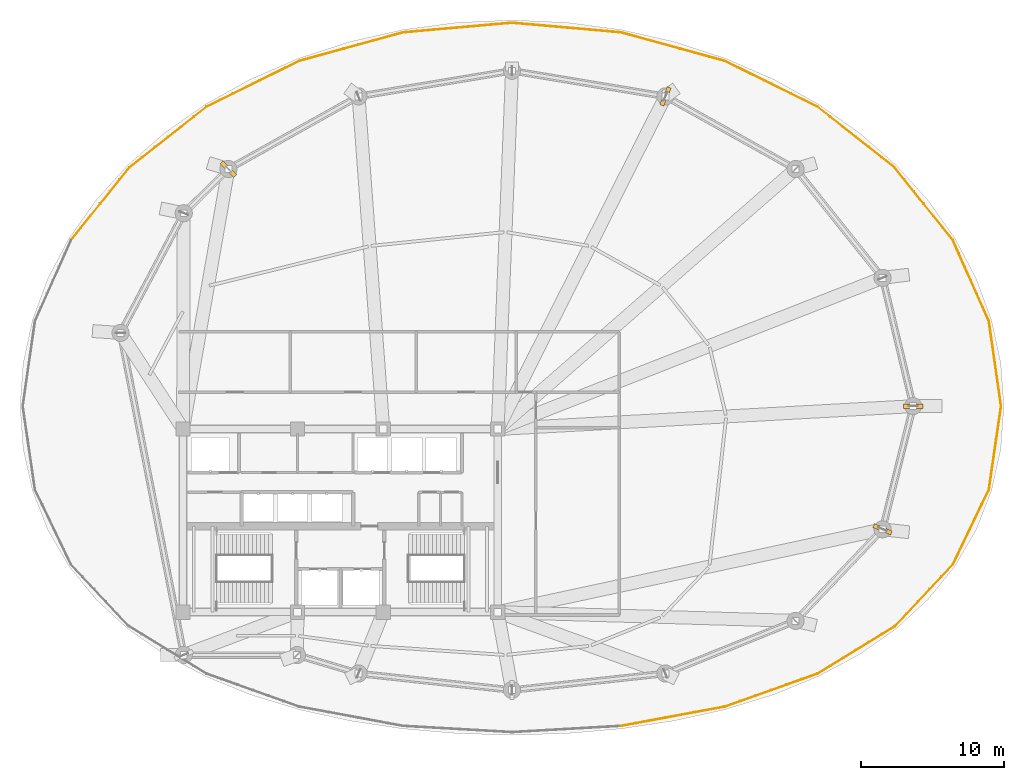
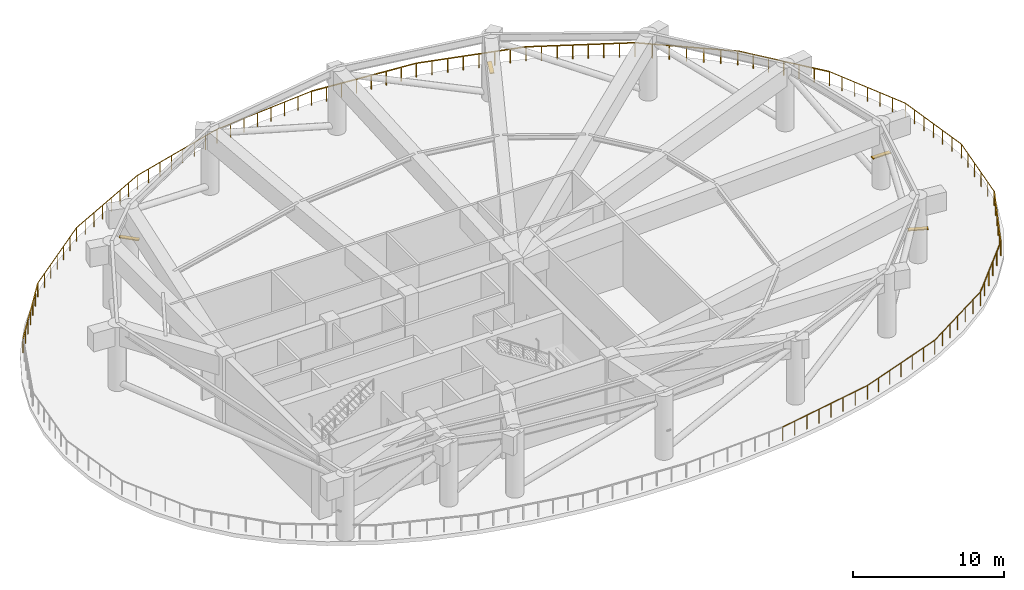
# One storey, part 9 of 9: 18 railings, 4 shading devices.
"""IFC4 building model written with IfcOpenShell, lengths in metres."""

import ifcopenshell
import ifcopenshell.guid

model = None  # the IFC model being written
_history = None  # IfcOwnerHistory: only IFC2X3 demands one
_inside = {}  # id of a spatial element -> (the spatial element, [elements in it])
_under = {}  # id of a project, library or spatial element -> (it, [spatial elements below it])
_declared = {}  # id of a project -> (the project, [libraries it declares])
_typed = {}  # id of a type object -> (the type object, [elements of that type])
_made_of = {}  # id of a material, layer set ... -> (it, [elements and type objects made of it])


def new_model(schema):
    """Start an empty IFC model of exactly this schema.

    Asked for "IFC4X3", IfcOpenShell would pick the latest addendum, in which some entities
    have other attributes; the version numbers below select the first issue.
    IFC2X3 requires an IfcOwnerHistory on every rooted entity: one is made here for all.
    """
    global model, _history
    if schema == "IFC4X3":
        model = ifcopenshell.file(schema_version=(4, 3, 0, 0))
    else:
        model = ifcopenshell.file(schema=schema)
    _inside.clear()
    _under.clear()
    _declared.clear()
    _typed.clear()
    _made_of.clear()
    _history = None
    if model.schema == "IFC2X3":
        org = make("IfcOrganization", Name="unknown")
        user = make(
            "IfcPersonAndOrganization",
            ThePerson=make("IfcPerson", FamilyName="unknown"),
            TheOrganization=org,
        )
        app = make(
            "IfcApplication",
            ApplicationDeveloper=org,
            Version="unknown",
            ApplicationFullName="unknown",
            ApplicationIdentifier="unknown",
        )
        _history = make(
            "IfcOwnerHistory",
            OwningUser=user,
            OwningApplication=app,
            ChangeAction="ADDED",
            CreationDate=0,
        )
    return model


def make(cls, **values):
    """One entity of the class cls with the attributes given. An attribute that is None is left unset."""
    return model.create_entity(
        cls, **{name: value for name, value in values.items() if value is not None}
    )


def rooted(cls, **values):
    """An entity with a GlobalId (a new one), such as an element, a storey or a relation."""
    return make(cls, GlobalId=ifcopenshell.guid.new(), OwnerHistory=_history, **values)


def si_unit(unit_type, name, prefix=None):
    """IfcSIUnit, for example si_unit("LENGTHUNIT", "METRE", prefix="MILLI")."""
    return make("IfcSIUnit", UnitType=unit_type, Prefix=prefix, Name=name)


def assignment(units):
    """IfcUnitAssignment: the units of a project."""
    return None if units is None else make("IfcUnitAssignment", Units=units)


def point(xyz):
    """IfcCartesianPoint."""
    return None if xyz is None else make("IfcCartesianPoint", Coordinates=xyz)


def direction(xyz):
    """IfcDirection."""
    return None if xyz is None else make("IfcDirection", DirectionRatios=xyz)


def frame(location, z_axis=None, x_axis=None):
    """IfcAxis2Placement3D, a coordinate frame: its origin and axes. An axis left out is left unset."""
    return make(
        "IfcAxis2Placement3D",
        Location=point(location),
        Axis=direction(z_axis),
        RefDirection=direction(x_axis),
    )


def frame_2d(location, x_axis=None):
    """IfcAxis2Placement2D, a coordinate frame in the plane: its origin and x axis."""
    return make(
        "IfcAxis2Placement2D", Location=point(location), RefDirection=direction(x_axis)
    )


def origin():
    """The frame at (0, 0, 0) with its axes left unset."""
    return frame((0.0, 0.0, 0.0))


def origin_2d():
    """The frame at (0, 0) in the plane with its x axis left unset."""
    return frame_2d((0.0, 0.0))


def place(relative_to, where):
    """IfcLocalPlacement: puts the frame where relative to a parent placement (None: the world)."""
    return make(
        "IfcLocalPlacement", PlacementRelTo=relative_to, RelativePlacement=where
    )


def context(
    kind, dimensions, precision=None, world=None, true_north=None, identifier=None
):
    """IfcGeometricRepresentationContext, for example the 3D "Model" context."""
    return make(
        "IfcGeometricRepresentationContext",
        ContextIdentifier=identifier,
        ContextType=kind,
        CoordinateSpaceDimension=dimensions,
        Precision=precision,
        WorldCoordinateSystem=world,
        TrueNorth=true_north,
    )


def subcontext(parent, identifier, kind, view, scale=None):
    """IfcGeometricRepresentationSubContext, for example "Body" below "Model"."""
    return make(
        "IfcGeometricRepresentationSubContext",
        ContextIdentifier=identifier,
        ContextType=kind,
        ParentContext=parent,
        TargetScale=scale,
        TargetView=view,
    )


def project(units=None, contexts=None):
    """IfcProject with its units and contexts."""
    return rooted(
        "IfcProject",
        Name="project",
        RepresentationContexts=contexts,
        UnitsInContext=assignment(units),
    )


def spatial(cls, under=None, at=None, **own):
    """A site, building, storey or space (cls), placed at a placement, below another one or the project."""
    s = rooted(cls, ObjectPlacement=at, **own)
    if under is not None:
        _under.setdefault(under.id(), (under, []))[1].append(s)
    return s


def profile(cls, at=None, kind="AREA", **sizes):
    """A parametric profile (cls). Its sizes go by their IFC names, for example OverallWidth=200.0."""
    return make(cls, ProfileType=kind, Position=at, **sizes)


def rectangle(**sizes):
    """IfcRectangleProfileDef."""
    return profile("IfcRectangleProfileDef", **sizes)


def extrude(swept, where, along, depth):
    """IfcExtrudedAreaSolid: the profile swept, set in the frame where, extruded along a direction by depth."""
    return make(
        "IfcExtrudedAreaSolid",
        SweptArea=swept,
        Position=where,
        ExtrudedDirection=direction(along),
        Depth=depth,
    )


def shape(context_of_items, identifier, shape_type, items):
    """IfcShapeRepresentation: the items that make up one representation, for example the "Body"."""
    return make(
        "IfcShapeRepresentation",
        ContextOfItems=context_of_items,
        RepresentationIdentifier=identifier,
        RepresentationType=shape_type,
        Items=items,
    )


def material(Name=None, Category=None):
    """IfcMaterial."""
    return make("IfcMaterial", Name=Name, Category=Category)


def made_of(thing, what):
    """Note that an element or type object is made of a material, layer set ...; save() writes the relation."""
    if what is not None:
        _made_of.setdefault(what.id(), (what, []))[1].append(thing)
    return thing


def type_object(cls, material=None, **own):
    """A type object (cls), such as IfcWallType, which elements share."""
    return made_of(rooted(cls, **own), material)


def element(
    cls,
    number,
    at=None,
    inside=None,
    cuts=None,
    type_object=None,
    material=None,
    context=None,
    identifier="Body",
    shape_type=None,
    held_by="IfcProductDefinitionShape",
    body=None,
    shapes=None,
    **own,
):
    """One element of the class cls, such as IfcWall. Its Tag is "e" and its number.

    at: its placement. inside: the storey or other place that contains it. cuts: it is an
    opening in that element (IfcRelVoidsElement). A single representation is given by context,
    identifier, shape_type and body (its items); several are given by shapes. held_by: the class
    of the entity that holds the representations. save() writes the other relations.
    """
    e = rooted(cls, Tag="e%d" % number, ObjectPlacement=at, **own)
    if body is not None:
        shapes = [shape(context, identifier, shape_type, body)]
    if shapes is not None:
        e.Representation = make(held_by, Representations=shapes)
    if inside is not None:
        _inside.setdefault(inside.id(), (inside, []))[1].append(e)
    if cuts is not None:
        rooted(
            "IfcRelVoidsElement", RelatingBuildingElement=cuts, RelatedOpeningElement=e
        )
    if type_object is not None:
        _typed.setdefault(type_object.id(), (type_object, []))[1].append(e)
    return made_of(e, material)


def aggregate(whole, parts):
    """IfcRelAggregates: a whole, such as a stair, and the parts it consists of."""
    return rooted("IfcRelAggregates", RelatingObject=whole, RelatedObjects=parts)


def save(model, path):
    """Write the relations noted so far, then the file.

    IfcRelAggregates (storeys below a building ...), IfcRelContainedInSpatialStructure (elements
    in a storey), IfcRelDefinesByType, IfcRelAssociatesMaterial and IfcRelDeclares: one each for
    every whole, place, type object, material and project.
    """
    for whole, parts in _under.values():
        aggregate(whole, parts)
    for where, things in _inside.values():
        rooted(
            "IfcRelContainedInSpatialStructure",
            RelatedElements=things,
            RelatingStructure=where,
        )
    for kind, things in _typed.values():
        rooted("IfcRelDefinesByType", RelatedObjects=things, RelatingType=kind)
    for what, things in _made_of.values():
        rooted("IfcRelAssociatesMaterial", RelatedObjects=things, RelatingMaterial=what)
    for by, libraries in _declared.values():
        rooted("IfcRelDeclares", RelatingContext=by, RelatedDefinitions=libraries)
    model.write(path)


model = new_model("IFC4")

# Units and contexts
model_context = context("Model", 3, precision=1e-05, world=origin(), true_north=direction((0.0, 1.0)))
body_context = subcontext(model_context, "Body", "Model", "MODEL_VIEW")
ifc_project = project(units=[si_unit("LENGTHUNIT", "METRE"), si_unit("AREAUNIT", "SQUARE_METRE"), si_unit("VOLUMEUNIT", "CUBIC_METRE"), si_unit("PLANEANGLEUNIT", "RADIAN"), si_unit("MASSUNIT", "GRAM", prefix="KILO")], contexts=[model_context])

# Site, building, storey
site_placement = place(None, origin())
site = spatial("IfcSite", under=ifc_project, at=site_placement, CompositionType="ELEMENT")
building_placement = place(site_placement, origin())
building = spatial("IfcBuilding", under=site, at=building_placement, Name="Kazevale Care Tower and Concert Hall", CompositionType="ELEMENT")
storey_placement = place(building_placement, frame((0.0, 0.0, 181.800048828125)))
storey = spatial("IfcBuildingStorey", under=building, at=storey_placement, Name="L48", CompositionType="ELEMENT", Elevation=181.800048828125)

# Railings
ifc_material_1 = material(Name="Stainless Steel 316", Category="steel")
railing_type = type_object("IfcRailingType", Name="Wind-Floor & Portal Guardrail 1150", PredefinedType="BALUSTRADE", material=ifc_material_1)
railing_1_placement = place(storey_placement, frame((79.198974609375, 38.0, 0.0)))
element("IfcRailing", 1, at=railing_1_placement, inside=storey, type_object=railing_type, Name="rail:L48:wind_perim:01", PredefinedType="BALUSTRADE", context=body_context, shape_type="SweptSolid", body=[
    extrude(rectangle(XDim=0.048095703125, YDim=0.048095703125, at=origin_2d()), frame((0.0, 0.0, 1.1259765625), z_axis=(-0.144506845544, -0.989503800696, 0.0), x_axis=(0.989503800696, -0.144506845544, 0.0)), (0.0, 0.0, 1.0), 5.903076171875),
    extrude(rectangle(XDim=0.0419921875, YDim=0.0419921875, at=origin_2d()), origin(), (0.0, 0.0, 1.0), 1.101806640625),
    extrude(rectangle(XDim=0.0419921875, YDim=0.0419921875, at=origin_2d()), frame((-0.170654296875, -1.168212890625, 0.0)), (0.0, 0.0, 1.0), 1.101806640625),
    extrude(rectangle(XDim=0.0419921875, YDim=0.0419921875, at=origin_2d()), frame((-0.34130859375, -2.33642578125, 0.0)), (0.0, 0.0, 1.0), 1.101806640625),
    extrude(rectangle(XDim=0.0419921875, YDim=0.0419921875, at=origin_2d()), frame((-0.51171875, -3.504638671875, 0.0)), (0.0, 0.0, 1.0), 1.101806640625),
    extrude(rectangle(XDim=0.0419921875, YDim=0.0419921875, at=origin_2d()), frame((-0.682373046875, -4.6728515625, 0.0)), (0.0, 0.0, 1.0), 1.101806640625),
    extrude(rectangle(XDim=0.0419921875, YDim=0.0419921875, at=origin_2d()), frame((-0.85302734375, -5.841064453125, 0.0)), (0.0, 0.0, 1.0), 1.101806640625),
])
railing_2_placement = place(storey_placement, frame((78.345947265625, 32.158935546875, 0.0)))
element("IfcRailing", 2, at=railing_2_placement, inside=storey, type_object=railing_type, Name="rail:L48:wind_perim:02", PredefinedType="BALUSTRADE", context=body_context, shape_type="SweptSolid", body=[
    extrude(rectangle(XDim=0.048095703125, YDim=0.048095703125, at=origin_2d()), frame((0.0, 0.0, 1.1259765625), z_axis=(-0.43441452146, -0.900713063936, 0.0), x_axis=(0.900713063936, -0.43441452146, 0.0)), (0.0, 0.0, 1.0), 5.79638671875),
    extrude(rectangle(XDim=0.0419921875, YDim=0.0419921875, at=origin_2d()), origin(), (0.0, 0.0, 1.0), 1.101806640625),
    extrude(rectangle(XDim=0.0419921875, YDim=0.0419921875, at=origin_2d()), frame((-0.503662109375, -1.044189453125, 0.0)), (0.0, 0.0, 1.0), 1.101806640625),
    extrude(rectangle(XDim=0.0419921875, YDim=0.0419921875, at=origin_2d()), frame((-1.00732421875, -2.08837890625, 0.0)), (0.0, 0.0, 1.0), 1.101806640625),
    extrude(rectangle(XDim=0.0419921875, YDim=0.0419921875, at=origin_2d()), frame((-1.5107421875, -3.132568359375, 0.0)), (0.0, 0.0, 1.0), 1.101806640625),
    extrude(rectangle(XDim=0.0419921875, YDim=0.0419921875, at=origin_2d()), frame((-2.014404296875, -4.1767578125, 0.0)), (0.0, 0.0, 1.0), 1.101806640625),
    extrude(rectangle(XDim=0.0419921875, YDim=0.0419921875, at=origin_2d()), frame((-2.51806640625, -5.220947265625, 0.0)), (0.0, 0.0, 1.0), 1.101806640625),
])
railing_3_placement = place(storey_placement, frame((75.827880859375, 26.93798828125, 0.0)))
element("IfcRailing", 3, at=railing_3_placement, inside=storey, type_object=railing_type, Name="rail:L48:wind_perim:03", PredefinedType="BALUSTRADE", context=body_context, shape_type="SweptSolid", body=[
    extrude(rectangle(XDim=0.048095703125, YDim=0.048095703125, at=origin_2d()), frame((0.0, 0.0, 1.1259765625), z_axis=(-0.683968498687, -0.729511543983, 0.0), x_axis=(0.729511543983, -0.683968498687, 0.0)), (0.0, 0.0, 1.0), 5.934326171875),
    extrude(rectangle(XDim=0.0419921875, YDim=0.0419921875, at=origin_2d()), origin(), (0.0, 0.0, 1.0), 1.101806640625),
    extrude(rectangle(XDim=0.0419921875, YDim=0.0419921875, at=origin_2d()), frame((-0.811767578125, -0.86572265625, 0.0)), (0.0, 0.0, 1.0), 1.101806640625),
    extrude(rectangle(XDim=0.0419921875, YDim=0.0419921875, at=origin_2d()), frame((-1.62353515625, -1.731689453125, 0.0)), (0.0, 0.0, 1.0), 1.101806640625),
    extrude(rectangle(XDim=0.0419921875, YDim=0.0419921875, at=origin_2d()), frame((-2.435302734375, -2.597412109375, 0.0)), (0.0, 0.0, 1.0), 1.101806640625),
    extrude(rectangle(XDim=0.0419921875, YDim=0.0419921875, at=origin_2d()), frame((-3.2470703125, -3.46337890625, 0.0)), (0.0, 0.0, 1.0), 1.101806640625),
    extrude(rectangle(XDim=0.0419921875, YDim=0.0419921875, at=origin_2d()), frame((-4.058837890625, -4.3291015625, 0.0)), (0.0, 0.0, 1.0), 1.101806640625),
])
railing_4_placement = place(storey_placement, frame((71.76904296875, 22.60888671875, 0.0)))
element("IfcRailing", 4, at=railing_4_placement, inside=storey, type_object=railing_type, Name="rail:L48:wind_perim:04", PredefinedType="BALUSTRADE", context=body_context, shape_type="SweptSolid", body=[
    extrude(rectangle(XDim=0.048095703125, YDim=0.048095703125, at=origin_2d()), frame((0.0, 0.0, 1.1259765625), z_axis=(-0.852078192854, -0.523414513806, 0.0), x_axis=(0.523414513806, -0.852078192854, 0.0)), (0.0, 0.0, 1.0), 6.344482421875),
    extrude(rectangle(XDim=0.0419921875, YDim=0.0419921875, at=origin_2d()), origin(), (0.0, 0.0, 1.0), 1.101806640625),
    extrude(rectangle(XDim=0.0419921875, YDim=0.0419921875, at=origin_2d()), frame((-0.90087890625, -0.553466796875, 0.0)), (0.0, 0.0, 1.0), 1.101806640625),
    extrude(rectangle(XDim=0.0419921875, YDim=0.0419921875, at=origin_2d()), frame((-1.802001953125, -1.10693359375, 0.0)), (0.0, 0.0, 1.0), 1.101806640625),
    extrude(rectangle(XDim=0.0419921875, YDim=0.0419921875, at=origin_2d()), frame((-2.703125, -1.660400390625, 0.0)), (0.0, 0.0, 1.0), 1.101806640625),
    extrude(rectangle(XDim=0.0419921875, YDim=0.0419921875, at=origin_2d()), frame((-3.60400390625, -2.2138671875, 0.0)), (0.0, 0.0, 1.0), 1.101806640625),
    extrude(rectangle(XDim=0.0419921875, YDim=0.0419921875, at=origin_2d()), frame((-4.5048828125, -2.767333984375, 0.0)), (0.0, 0.0, 1.0), 1.101806640625),
    extrude(rectangle(XDim=0.0419921875, YDim=0.0419921875, at=origin_2d()), frame((-5.406005859375, -3.32080078125, 0.0)), (0.0, 0.0, 1.0), 1.101806640625),
])
railing_5_placement = place(storey_placement, frame((66.363037109375, 19.2880859375, 0.0)))
element("IfcRailing", 5, at=railing_5_placement, inside=storey, type_object=railing_type, Name="rail:L48:wind_perim:05", PredefinedType="BALUSTRADE", context=body_context, shape_type="SweptSolid", body=[
    extrude(rectangle(XDim=0.048095703125, YDim=0.048095703125, at=origin_2d()), frame((0.0, 0.0, 1.1259765625), z_axis=(-0.942247017666, -0.334918732977, 0.0), x_axis=(0.334918732977, -0.942247017666, 0.0)), (0.0, 0.0, 1.0), 6.8857421875),
    extrude(rectangle(XDim=0.0419921875, YDim=0.0419921875, at=origin_2d()), origin(), (0.0, 0.0, 1.0), 1.101806640625),
    extrude(rectangle(XDim=0.0419921875, YDim=0.0419921875, at=origin_2d()), frame((-1.081298828125, -0.38427734375, 0.0)), (0.0, 0.0, 1.0), 1.101806640625),
    extrude(rectangle(XDim=0.0419921875, YDim=0.0419921875, at=origin_2d()), frame((-2.16259765625, -0.768798828125, 0.0)), (0.0, 0.0, 1.0), 1.101806640625),
    extrude(rectangle(XDim=0.0419921875, YDim=0.0419921875, at=origin_2d()), frame((-3.244140625, -1.153076171875, 0.0)), (0.0, 0.0, 1.0), 1.101806640625),
    extrude(rectangle(XDim=0.0419921875, YDim=0.0419921875, at=origin_2d()), frame((-4.325439453125, -1.537353515625, 0.0)), (0.0, 0.0, 1.0), 1.101806640625),
    extrude(rectangle(XDim=0.0419921875, YDim=0.0419921875, at=origin_2d()), frame((-5.40673828125, -1.921875, 0.0)), (0.0, 0.0, 1.0), 1.101806640625),
    extrude(rectangle(XDim=0.0419921875, YDim=0.0419921875, at=origin_2d()), frame((-6.488037109375, -2.30615234375, 0.0)), (0.0, 0.0, 1.0), 1.101806640625),
])
railing_6_placement = place(storey_placement, frame((59.875, 16.98193359375, 0.0)))
element("IfcRailing", 6, at=railing_6_placement, inside=storey, type_object=railing_type, Name="rail:L48:wind_perim:06", PredefinedType="BALUSTRADE", context=body_context, shape_type="SweptSolid", body=[
    extrude(rectangle(XDim=0.048095703125, YDim=0.048095703125, at=origin_2d()), frame((0.0, 0.0, 1.1259765625), z_axis=(-0.98324418689, -0.182293359579, 0.0), x_axis=(0.182293359579, -0.98324418689, 0.0)), (0.0, 0.0, 1.0), 7.367431640625),
    extrude(rectangle(XDim=0.0419921875, YDim=0.0419921875, at=origin_2d()), origin(), (0.0, 0.0, 1.0), 1.101806640625),
    extrude(rectangle(XDim=0.0419921875, YDim=0.0419921875, at=origin_2d()), frame((-1.034912109375, -0.19189453125, 0.0)), (0.0, 0.0, 1.0), 1.101806640625),
    extrude(rectangle(XDim=0.0419921875, YDim=0.0419921875, at=origin_2d()), frame((-2.069580078125, -0.3837890625, 0.0)), (0.0, 0.0, 1.0), 1.101806640625),
    extrude(rectangle(XDim=0.0419921875, YDim=0.0419921875, at=origin_2d()), frame((-3.1044921875, -0.57568359375, 0.0)), (0.0, 0.0, 1.0), 1.101806640625),
    extrude(rectangle(XDim=0.0419921875, YDim=0.0419921875, at=origin_2d()), frame((-4.139404296875, -0.767333984375, 0.0)), (0.0, 0.0, 1.0), 1.101806640625),
    extrude(rectangle(XDim=0.0419921875, YDim=0.0419921875, at=origin_2d()), frame((-5.17431640625, -0.959228515625, 0.0)), (0.0, 0.0, 1.0), 1.101806640625),
    extrude(rectangle(XDim=0.0419921875, YDim=0.0419921875, at=origin_2d()), frame((-6.208984375, -1.151123046875, 0.0)), (0.0, 0.0, 1.0), 1.101806640625),
    extrude(rectangle(XDim=0.0419921875, YDim=0.0419921875, at=origin_2d()), frame((-7.243896484375, -1.343017578125, 0.0)), (0.0, 0.0, 1.0), 1.101806640625),
])
railing_7_placement = place(storey_placement, frame((14.177978515625, 49.610107421875, 0.0)))
element("IfcRailing", 7, at=railing_7_placement, inside=storey, type_object=railing_type, Name="rail:L48:wind_perim:17", PredefinedType="BALUSTRADE", context=body_context, shape_type="SweptSolid", body=[
    extrude(rectangle(XDim=0.048095703125, YDim=0.048095703125, at=origin_2d()), frame((0.0, 0.0, 1.1259765625), z_axis=(0.624946573371, 0.780667522337, 0.0), x_axis=(-0.780667522337, 0.624946573371, 0.0)), (0.0, 0.0, 1.0), 6.509521484375),
    extrude(rectangle(XDim=0.0419921875, YDim=0.0419921875, at=origin_2d()), origin(), (0.0, 0.0, 1.0), 1.101806640625),
    extrude(rectangle(XDim=0.0419921875, YDim=0.0419921875, at=origin_2d()), frame((0.677978515625, 0.846923828125, 0.0)), (0.0, 0.0, 1.0), 1.101806640625),
    extrude(rectangle(XDim=0.0419921875, YDim=0.0419921875, at=origin_2d()), frame((1.35595703125, 1.69384765625, 0.0)), (0.0, 0.0, 1.0), 1.101806640625),
    extrude(rectangle(XDim=0.0419921875, YDim=0.0419921875, at=origin_2d()), frame((2.0341796875, 2.541015625, 0.0)), (0.0, 0.0, 1.0), 1.101806640625),
    extrude(rectangle(XDim=0.0419921875, YDim=0.0419921875, at=origin_2d()), frame((2.712158203125, 3.387939453125, 0.0)), (0.0, 0.0, 1.0), 1.101806640625),
    extrude(rectangle(XDim=0.0419921875, YDim=0.0419921875, at=origin_2d()), frame((3.39013671875, 4.23486328125, 0.0)), (0.0, 0.0, 1.0), 1.101806640625),
    extrude(rectangle(XDim=0.0419921875, YDim=0.0419921875, at=origin_2d()), frame((4.068115234375, 5.081787109375, 0.0)), (0.0, 0.0, 1.0), 1.101806640625),
])
railing_8_placement = place(storey_placement, frame((18.24609375, 54.69189453125, 0.0)))
element("IfcRailing", 8, at=railing_8_placement, inside=storey, type_object=railing_type, Name="rail:L48:wind_perim:18", PredefinedType="BALUSTRADE", context=body_context, shape_type="SweptSolid", body=[
    extrude(rectangle(XDim=0.048095703125, YDim=0.048095703125, at=origin_2d()), frame((0.0, 0.0, 1.1259765625), z_axis=(0.786610084071, 0.617450059225, 0.0), x_axis=(-0.617450059225, 0.786610084071, 0.0)), (0.0, 0.0, 1.0), 6.8798828125),
    extrude(rectangle(XDim=0.0419921875, YDim=0.0419921875, at=origin_2d()), origin(), (0.0, 0.0, 1.0), 1.101806640625),
    extrude(rectangle(XDim=0.0419921875, YDim=0.0419921875, at=origin_2d()), frame((0.90185546875, 0.7080078125, 0.0)), (0.0, 0.0, 1.0), 1.101806640625),
    extrude(rectangle(XDim=0.0419921875, YDim=0.0419921875, at=origin_2d()), frame((1.803955078125, 1.416015625, 0.0)), (0.0, 0.0, 1.0), 1.101806640625),
    extrude(rectangle(XDim=0.0419921875, YDim=0.0419921875, at=origin_2d()), frame((2.7060546875, 2.1240234375, 0.0)), (0.0, 0.0, 1.0), 1.101806640625),
    extrude(rectangle(XDim=0.0419921875, YDim=0.0419921875, at=origin_2d()), frame((3.60791015625, 2.83203125, 0.0)), (0.0, 0.0, 1.0), 1.101806640625),
    extrude(rectangle(XDim=0.0419921875, YDim=0.0419921875, at=origin_2d()), frame((4.509765625, 3.5400390625, 0.0)), (0.0, 0.0, 1.0), 1.101806640625),
    extrude(rectangle(XDim=0.0419921875, YDim=0.0419921875, at=origin_2d()), frame((5.411865234375, 4.248046875, 0.0)), (0.0, 0.0, 1.0), 1.101806640625),
])
railing_9_placement = place(storey_placement, frame((23.657958984375, 58.93994140625, 0.0)))
element("IfcRailing", 9, at=railing_9_placement, inside=storey, type_object=railing_type, Name="rail:L48:wind_perim:19", PredefinedType="BALUSTRADE", context=body_context, shape_type="SweptSolid", body=[
    extrude(rectangle(XDim=0.048095703125, YDim=0.048095703125, at=origin_2d()), frame((0.0, 0.0, 1.1259765625), z_axis=(0.896877656938, 0.442278722624, 0.0), x_axis=(-0.442278722624, 0.896877656938, 0.0)), (0.0, 0.0, 1.0), 7.23291015625),
    extrude(rectangle(XDim=0.0419921875, YDim=0.0419921875, at=origin_2d()), origin(), (0.0, 0.0, 1.0), 1.101806640625),
    extrude(rectangle(XDim=0.0419921875, YDim=0.0419921875, at=origin_2d()), frame((0.9267578125, 0.45703125, 0.0)), (0.0, 0.0, 1.0), 1.101806640625),
    extrude(rectangle(XDim=0.0419921875, YDim=0.0419921875, at=origin_2d()), frame((1.853515625, 0.9140625, 0.0)), (0.0, 0.0, 1.0), 1.101806640625),
    extrude(rectangle(XDim=0.0419921875, YDim=0.0419921875, at=origin_2d()), frame((2.7802734375, 1.37109375, 0.0)), (0.0, 0.0, 1.0), 1.101806640625),
    extrude(rectangle(XDim=0.0419921875, YDim=0.0419921875, at=origin_2d()), frame((3.706787109375, 1.827880859375, 0.0)), (0.0, 0.0, 1.0), 1.101806640625),
    extrude(rectangle(XDim=0.0419921875, YDim=0.0419921875, at=origin_2d()), frame((4.633544921875, 2.284912109375, 0.0)), (0.0, 0.0, 1.0), 1.101806640625),
    extrude(rectangle(XDim=0.0419921875, YDim=0.0419921875, at=origin_2d()), frame((5.560302734375, 2.741943359375, 0.0)), (0.0, 0.0, 1.0), 1.101806640625),
    extrude(rectangle(XDim=0.0419921875, YDim=0.0419921875, at=origin_2d()), frame((6.487060546875, 3.198974609375, 0.0)), (0.0, 0.0, 1.0), 1.101806640625),
])
railing_10_placement = place(storey_placement, frame((30.14501953125, 62.138916015625, 0.0)))
element("IfcRailing", 10, at=railing_10_placement, inside=storey, type_object=railing_type, Name="rail:L48:wind_perim:20", PredefinedType="BALUSTRADE", context=body_context, shape_type="SweptSolid", body=[
    extrude(rectangle(XDim=0.048095703125, YDim=0.048095703125, at=origin_2d()), frame((0.0, 0.0, 1.1259765625), z_axis=(0.964302856758, 0.264801813528, 0.0), x_axis=(-0.264801813528, 0.964302856758, 0.0)), (0.0, 0.0, 1.0), 7.50390625),
    extrude(rectangle(XDim=0.0419921875, YDim=0.0419921875, at=origin_2d()), origin(), (0.0, 0.0, 1.0), 1.101806640625),
    extrude(rectangle(XDim=0.0419921875, YDim=0.0419921875, at=origin_2d()), frame((1.03369140625, 0.283935546875, 0.0)), (0.0, 0.0, 1.0), 1.101806640625),
    extrude(rectangle(XDim=0.0419921875, YDim=0.0419921875, at=origin_2d()), frame((2.0673828125, 0.567626953125, 0.0)), (0.0, 0.0, 1.0), 1.101806640625),
    extrude(rectangle(XDim=0.0419921875, YDim=0.0419921875, at=origin_2d()), frame((3.10107421875, 0.8515625, 0.0)), (0.0, 0.0, 1.0), 1.101806640625),
    extrude(rectangle(XDim=0.0419921875, YDim=0.0419921875, at=origin_2d()), frame((4.135009765625, 1.135498046875, 0.0)), (0.0, 0.0, 1.0), 1.101806640625),
    extrude(rectangle(XDim=0.0419921875, YDim=0.0419921875, at=origin_2d()), frame((5.168701171875, 1.41943359375, 0.0)), (0.0, 0.0, 1.0), 1.101806640625),
    extrude(rectangle(XDim=0.0419921875, YDim=0.0419921875, at=origin_2d()), frame((6.202392578125, 1.703125, 0.0)), (0.0, 0.0, 1.0), 1.101806640625),
    extrude(rectangle(XDim=0.0419921875, YDim=0.0419921875, at=origin_2d()), frame((7.236083984375, 1.987060546875, 0.0)), (0.0, 0.0, 1.0), 1.101806640625),
])
railing_11_placement = place(storey_placement, frame((37.381103515625, 64.1259765625, 0.0)))
element("IfcRailing", 11, at=railing_11_placement, inside=storey, type_object=railing_type, Name="rail:L48:wind_perim:21", PredefinedType="BALUSTRADE", context=body_context, shape_type="SweptSolid", body=[
    extrude(rectangle(XDim=0.048095703125, YDim=0.048095703125, at=origin_2d()), frame((0.0, 0.0, 1.1259765625), z_axis=(0.99610902658, 0.088129490896, 0.0), x_axis=(-0.088129490896, 0.99610902658, 0.0)), (0.0, 0.0, 1.0), 7.648681640625),
    extrude(rectangle(XDim=0.0419921875, YDim=0.0419921875, at=origin_2d()), origin(), (0.0, 0.0, 1.0), 1.101806640625),
    extrude(rectangle(XDim=0.0419921875, YDim=0.0419921875, at=origin_2d()), frame((1.08837890625, 0.09619140625, 0.0)), (0.0, 0.0, 1.0), 1.101806640625),
    extrude(rectangle(XDim=0.0419921875, YDim=0.0419921875, at=origin_2d()), frame((2.1767578125, 0.192626953125, 0.0)), (0.0, 0.0, 1.0), 1.101806640625),
    extrude(rectangle(XDim=0.0419921875, YDim=0.0419921875, at=origin_2d()), frame((3.26513671875, 0.288818359375, 0.0)), (0.0, 0.0, 1.0), 1.101806640625),
    extrude(rectangle(XDim=0.0419921875, YDim=0.0419921875, at=origin_2d()), frame((4.353759765625, 0.38525390625, 0.0)), (0.0, 0.0, 1.0), 1.101806640625),
    extrude(rectangle(XDim=0.0419921875, YDim=0.0419921875, at=origin_2d()), frame((5.442138671875, 0.4814453125, 0.0)), (0.0, 0.0, 1.0), 1.101806640625),
    extrude(rectangle(XDim=0.0419921875, YDim=0.0419921875, at=origin_2d()), frame((6.530517578125, 0.577880859375, 0.0)), (0.0, 0.0, 1.0), 1.101806640625),
    extrude(rectangle(XDim=0.0419921875, YDim=0.0419921875, at=origin_2d()), frame((7.618896484375, 0.674072265625, 0.0)), (0.0, 0.0, 1.0), 1.101806640625),
])
railing_12_placement = place(storey_placement, frame((45.0, 64.800048828125, 0.0)))
element("IfcRailing", 12, at=railing_12_placement, inside=storey, type_object=railing_type, Name="rail:L48:wind_perim:22", PredefinedType="BALUSTRADE", context=body_context, shape_type="SweptSolid", body=[
    extrude(rectangle(XDim=0.048095703125, YDim=0.048095703125, at=origin_2d()), frame((0.0, 0.0, 1.1259765625), z_axis=(0.99610902658, -0.088129490896, 0.0), x_axis=(0.088129490896, 0.99610902658, 0.0)), (0.0, 0.0, 1.0), 7.648681640625),
    extrude(rectangle(XDim=0.0419921875, YDim=0.0419921875, at=origin_2d()), origin(), (0.0, 0.0, 1.0), 1.101806640625),
    extrude(rectangle(XDim=0.0419921875, YDim=0.0419921875, at=origin_2d()), frame((1.08837890625, -0.09619140625, 0.0)), (0.0, 0.0, 1.0), 1.101806640625),
    extrude(rectangle(XDim=0.0419921875, YDim=0.0419921875, at=origin_2d()), frame((2.1767578125, -0.192626953125, 0.0)), (0.0, 0.0, 1.0), 1.101806640625),
    extrude(rectangle(XDim=0.0419921875, YDim=0.0419921875, at=origin_2d()), frame((3.26513671875, -0.288818359375, 0.0)), (0.0, 0.0, 1.0), 1.101806640625),
    extrude(rectangle(XDim=0.0419921875, YDim=0.0419921875, at=origin_2d()), frame((4.353759765625, -0.38525390625, 0.0)), (0.0, 0.0, 1.0), 1.101806640625),
    extrude(rectangle(XDim=0.0419921875, YDim=0.0419921875, at=origin_2d()), frame((5.442138671875, -0.4814453125, 0.0)), (0.0, 0.0, 1.0), 1.101806640625),
    extrude(rectangle(XDim=0.0419921875, YDim=0.0419921875, at=origin_2d()), frame((6.530517578125, -0.577880859375, 0.0)), (0.0, 0.0, 1.0), 1.101806640625),
    extrude(rectangle(XDim=0.0419921875, YDim=0.0419921875, at=origin_2d()), frame((7.618896484375, -0.674072265625, 0.0)), (0.0, 0.0, 1.0), 1.101806640625),
])
railing_13_placement = place(storey_placement, frame((52.618896484375, 64.1259765625, 0.0)))
element("IfcRailing", 13, at=railing_13_placement, inside=storey, type_object=railing_type, Name="rail:L48:wind_perim:23", PredefinedType="BALUSTRADE", context=body_context, shape_type="SweptSolid", body=[
    extrude(rectangle(XDim=0.048095703125, YDim=0.048095703125, at=origin_2d()), frame((0.0, 0.0, 1.1259765625), z_axis=(0.964302856758, -0.264801813528, 0.0), x_axis=(0.264801813528, 0.964302856758, 0.0)), (0.0, 0.0, 1.0), 7.50390625),
    extrude(rectangle(XDim=0.0419921875, YDim=0.0419921875, at=origin_2d()), origin(), (0.0, 0.0, 1.0), 1.101806640625),
    extrude(rectangle(XDim=0.0419921875, YDim=0.0419921875, at=origin_2d()), frame((1.03369140625, -0.283935546875, 0.0)), (0.0, 0.0, 1.0), 1.101806640625),
    extrude(rectangle(XDim=0.0419921875, YDim=0.0419921875, at=origin_2d()), frame((2.0673828125, -0.567626953125, 0.0)), (0.0, 0.0, 1.0), 1.101806640625),
    extrude(rectangle(XDim=0.0419921875, YDim=0.0419921875, at=origin_2d()), frame((3.10107421875, -0.8515625, 0.0)), (0.0, 0.0, 1.0), 1.101806640625),
    extrude(rectangle(XDim=0.0419921875, YDim=0.0419921875, at=origin_2d()), frame((4.135009765625, -1.135498046875, 0.0)), (0.0, 0.0, 1.0), 1.101806640625),
    extrude(rectangle(XDim=0.0419921875, YDim=0.0419921875, at=origin_2d()), frame((5.168701171875, -1.41943359375, 0.0)), (0.0, 0.0, 1.0), 1.101806640625),
    extrude(rectangle(XDim=0.0419921875, YDim=0.0419921875, at=origin_2d()), frame((6.202392578125, -1.703125, 0.0)), (0.0, 0.0, 1.0), 1.101806640625),
    extrude(rectangle(XDim=0.0419921875, YDim=0.0419921875, at=origin_2d()), frame((7.236083984375, -1.987060546875, 0.0)), (0.0, 0.0, 1.0), 1.101806640625),
])
railing_14_placement = place(storey_placement, frame((59.85498046875, 62.138916015625, 0.0)))
element("IfcRailing", 14, at=railing_14_placement, inside=storey, type_object=railing_type, Name="rail:L48:wind_perim:24", PredefinedType="BALUSTRADE", context=body_context, shape_type="SweptSolid", body=[
    extrude(rectangle(XDim=0.048095703125, YDim=0.048095703125, at=origin_2d()), frame((0.0, 0.0, 1.1259765625), z_axis=(0.896877656938, -0.442278722624, 0.0), x_axis=(0.442278722624, 0.896877656938, 0.0)), (0.0, 0.0, 1.0), 7.23291015625),
    extrude(rectangle(XDim=0.0419921875, YDim=0.0419921875, at=origin_2d()), origin(), (0.0, 0.0, 1.0), 1.101806640625),
    extrude(rectangle(XDim=0.0419921875, YDim=0.0419921875, at=origin_2d()), frame((0.9267578125, -0.45703125, 0.0)), (0.0, 0.0, 1.0), 1.101806640625),
    extrude(rectangle(XDim=0.0419921875, YDim=0.0419921875, at=origin_2d()), frame((1.853515625, -0.9140625, 0.0)), (0.0, 0.0, 1.0), 1.101806640625),
    extrude(rectangle(XDim=0.0419921875, YDim=0.0419921875, at=origin_2d()), frame((2.7802734375, -1.37109375, 0.0)), (0.0, 0.0, 1.0), 1.101806640625),
    extrude(rectangle(XDim=0.0419921875, YDim=0.0419921875, at=origin_2d()), frame((3.706787109375, -1.827880859375, 0.0)), (0.0, 0.0, 1.0), 1.101806640625),
    extrude(rectangle(XDim=0.0419921875, YDim=0.0419921875, at=origin_2d()), frame((4.633544921875, -2.284912109375, 0.0)), (0.0, 0.0, 1.0), 1.101806640625),
    extrude(rectangle(XDim=0.0419921875, YDim=0.0419921875, at=origin_2d()), frame((5.560302734375, -2.741943359375, 0.0)), (0.0, 0.0, 1.0), 1.101806640625),
    extrude(rectangle(XDim=0.0419921875, YDim=0.0419921875, at=origin_2d()), frame((6.487060546875, -3.198974609375, 0.0)), (0.0, 0.0, 1.0), 1.101806640625),
])
railing_15_placement = place(storey_placement, frame((66.342041015625, 58.93994140625, 0.0)))
element("IfcRailing", 15, at=railing_15_placement, inside=storey, type_object=railing_type, Name="rail:L48:wind_perim:25", PredefinedType="BALUSTRADE", context=body_context, shape_type="SweptSolid", body=[
    extrude(rectangle(XDim=0.048095703125, YDim=0.048095703125, at=origin_2d()), frame((0.0, 0.0, 1.1259765625), z_axis=(0.786610084071, -0.617450059225, 0.0), x_axis=(0.617450059225, 0.786610084071, 0.0)), (0.0, 0.0, 1.0), 6.8798828125),
    extrude(rectangle(XDim=0.0419921875, YDim=0.0419921875, at=origin_2d()), origin(), (0.0, 0.0, 1.0), 1.101806640625),
    extrude(rectangle(XDim=0.0419921875, YDim=0.0419921875, at=origin_2d()), frame((0.90185546875, -0.7080078125, 0.0)), (0.0, 0.0, 1.0), 1.101806640625),
    extrude(rectangle(XDim=0.0419921875, YDim=0.0419921875, at=origin_2d()), frame((1.803955078125, -1.416015625, 0.0)), (0.0, 0.0, 1.0), 1.101806640625),
    extrude(rectangle(XDim=0.0419921875, YDim=0.0419921875, at=origin_2d()), frame((2.7060546875, -2.1240234375, 0.0)), (0.0, 0.0, 1.0), 1.101806640625),
    extrude(rectangle(XDim=0.0419921875, YDim=0.0419921875, at=origin_2d()), frame((3.60791015625, -2.83203125, 0.0)), (0.0, 0.0, 1.0), 1.101806640625),
    extrude(rectangle(XDim=0.0419921875, YDim=0.0419921875, at=origin_2d()), frame((4.509765625, -3.5400390625, 0.0)), (0.0, 0.0, 1.0), 1.101806640625),
    extrude(rectangle(XDim=0.0419921875, YDim=0.0419921875, at=origin_2d()), frame((5.411865234375, -4.248046875, 0.0)), (0.0, 0.0, 1.0), 1.101806640625),
])
railing_16_placement = place(storey_placement, frame((71.75390625, 54.69189453125, 0.0)))
element("IfcRailing", 16, at=railing_16_placement, inside=storey, type_object=railing_type, Name="rail:L48:wind_perim:26", PredefinedType="BALUSTRADE", context=body_context, shape_type="SweptSolid", body=[
    extrude(rectangle(XDim=0.048095703125, YDim=0.048095703125, at=origin_2d()), frame((0.0, 0.0, 1.1259765625), z_axis=(0.624946573371, -0.780667522337, 0.0), x_axis=(0.780667522337, 0.624946573371, 0.0)), (0.0, 0.0, 1.0), 6.509521484375),
    extrude(rectangle(XDim=0.0419921875, YDim=0.0419921875, at=origin_2d()), origin(), (0.0, 0.0, 1.0), 1.101806640625),
    extrude(rectangle(XDim=0.0419921875, YDim=0.0419921875, at=origin_2d()), frame((0.677978515625, -0.846923828125, 0.0)), (0.0, 0.0, 1.0), 1.101806640625),
    extrude(rectangle(XDim=0.0419921875, YDim=0.0419921875, at=origin_2d()), frame((1.35595703125, -1.69384765625, 0.0)), (0.0, 0.0, 1.0), 1.101806640625),
    extrude(rectangle(XDim=0.0419921875, YDim=0.0419921875, at=origin_2d()), frame((2.0341796875, -2.541015625, 0.0)), (0.0, 0.0, 1.0), 1.101806640625),
    extrude(rectangle(XDim=0.0419921875, YDim=0.0419921875, at=origin_2d()), frame((2.712158203125, -3.387939453125, 0.0)), (0.0, 0.0, 1.0), 1.101806640625),
    extrude(rectangle(XDim=0.0419921875, YDim=0.0419921875, at=origin_2d()), frame((3.39013671875, -4.23486328125, 0.0)), (0.0, 0.0, 1.0), 1.101806640625),
    extrude(rectangle(XDim=0.0419921875, YDim=0.0419921875, at=origin_2d()), frame((4.068115234375, -5.081787109375, 0.0)), (0.0, 0.0, 1.0), 1.101806640625),
])
railing_17_placement = place(storey_placement, frame((75.822021484375, 49.610107421875, 0.0)))
element("IfcRailing", 17, at=railing_17_placement, inside=storey, type_object=railing_type, Name="rail:L48:wind_perim:27", PredefinedType="BALUSTRADE", context=body_context, shape_type="SweptSolid", body=[
    extrude(rectangle(XDim=0.048095703125, YDim=0.048095703125, at=origin_2d()), frame((0.0, 0.0, 1.1259765625), z_axis=(0.407242406433, -0.913320109492, 0.0), x_axis=(0.913320109492, 0.407242406433, 0.0)), (0.0, 0.0, 1.0), 6.1953125),
    extrude(rectangle(XDim=0.0419921875, YDim=0.0419921875, at=origin_2d()), origin(), (0.0, 0.0, 1.0), 1.101806640625),
    extrude(rectangle(XDim=0.0419921875, YDim=0.0419921875, at=origin_2d()), frame((0.42041015625, -0.943115234375, 0.0)), (0.0, 0.0, 1.0), 1.101806640625),
    extrude(rectangle(XDim=0.0419921875, YDim=0.0419921875, at=origin_2d()), frame((0.841064453125, -1.885986328125, 0.0)), (0.0, 0.0, 1.0), 1.101806640625),
    extrude(rectangle(XDim=0.0419921875, YDim=0.0419921875, at=origin_2d()), frame((1.261474609375, -2.8291015625, 0.0)), (0.0, 0.0, 1.0), 1.101806640625),
    extrude(rectangle(XDim=0.0419921875, YDim=0.0419921875, at=origin_2d()), frame((1.681884765625, -3.772216796875, 0.0)), (0.0, 0.0, 1.0), 1.101806640625),
    extrude(rectangle(XDim=0.0419921875, YDim=0.0419921875, at=origin_2d()), frame((2.1025390625, -4.715087890625, 0.0)), (0.0, 0.0, 1.0), 1.101806640625),
    extrude(rectangle(XDim=0.0419921875, YDim=0.0419921875, at=origin_2d()), frame((2.52294921875, -5.658203125, 0.0)), (0.0, 0.0, 1.0), 1.101806640625),
])
railing_18_placement = place(storey_placement, frame((78.344970703125, 43.951904296875, 0.0)))
element("IfcRailing", 18, at=railing_18_placement, inside=storey, type_object=railing_type, Name="rail:L48:wind_perim:28", PredefinedType="BALUSTRADE", context=body_context, shape_type="SweptSolid", body=[
    extrude(rectangle(XDim=0.048095703125, YDim=0.048095703125, at=origin_2d()), frame((0.0, 0.0, 1.1259765625), z_axis=(0.142029563639, -0.989862416224, 0.0), x_axis=(0.989862416224, 0.142029563639, 0.0)), (0.0, 0.0, 1.0), 6.012939453125),
    extrude(rectangle(XDim=0.0419921875, YDim=0.0419921875, at=origin_2d()), origin(), (0.0, 0.0, 1.0), 1.101806640625),
    extrude(rectangle(XDim=0.0419921875, YDim=0.0419921875, at=origin_2d()), frame((0.142333984375, -0.991943359375, 0.0)), (0.0, 0.0, 1.0), 1.101806640625),
    extrude(rectangle(XDim=0.0419921875, YDim=0.0419921875, at=origin_2d()), frame((0.28466796875, -1.98388671875, 0.0)), (0.0, 0.0, 1.0), 1.101806640625),
    extrude(rectangle(XDim=0.0419921875, YDim=0.0419921875, at=origin_2d()), frame((0.427001953125, -2.97607421875, 0.0)), (0.0, 0.0, 1.0), 1.101806640625),
    extrude(rectangle(XDim=0.0419921875, YDim=0.0419921875, at=origin_2d()), frame((0.5693359375, -3.968017578125, 0.0)), (0.0, 0.0, 1.0), 1.101806640625),
    extrude(rectangle(XDim=0.0419921875, YDim=0.0419921875, at=origin_2d()), frame((0.711669921875, -4.9599609375, 0.0)), (0.0, 0.0, 1.0), 1.101806640625),
    extrude(rectangle(XDim=0.0419921875, YDim=0.0419921875, at=origin_2d()), frame((0.85400390625, -5.951904296875, 0.0)), (0.0, 0.0, 1.0), 1.101806640625),
])

# Shading devices
ifc_material_2 = material(Name="Aluminium 6063-T6", Category="aluminium")
shading_device_type = type_object("IfcShadingDeviceType", Name="Wind-Floor Acoustic Storm Louvre Blade LVR-01", PredefinedType="USERDEFINED", material=ifc_material_2)
for number, where, z_axis, x_axis, name in (
    (19, (73.050048828125, 38.0, 2.35986328125), (0.0, 0.0, 1.0), (1.0, 0.0, 0.0), "louvre:L48:01"),
    (20, (55.72998046875, 59.659912109375, 2.35986328125), (0.0, 0.0, 1.0), (0.382683432365, 0.923879532511, 0.0), "louvre:L48:04"),
    (21, (25.169921875, 54.580078125, 2.35986328125), (0.0, 0.0, 1.0), (-0.707106781187, 0.707106781187, 0.0), "louvre:L48:07"),
    (22, (70.909912109375, 29.389892578125, 2.35986328125), (0.0, 0.0, 1.0), (0.923879532511, -0.382683432365, 0.0), "louvre:L48:16"),
):
    element("IfcShadingDevice", number, at=place(storey_placement, frame(where, z_axis=z_axis, x_axis=x_axis)), inside=storey, type_object=shading_device_type, Name=name, ObjectType="LOUVRE", PredefinedType="USERDEFINED", context=body_context, shape_type="SweptSolid", body=[
        extrude(rectangle(XDim=1.35009765625, YDim=0.300048828125, at=origin_2d()), origin(), (0.0, 0.0, 1.0), 0.080078125),
    ])

save(model, "model.ifc")
